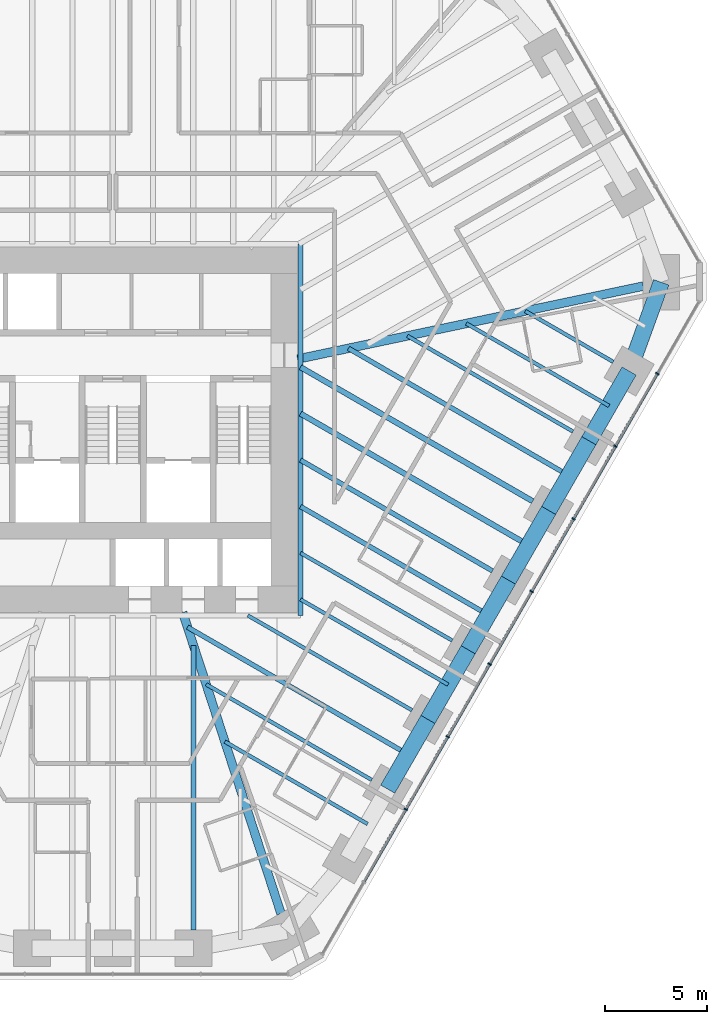
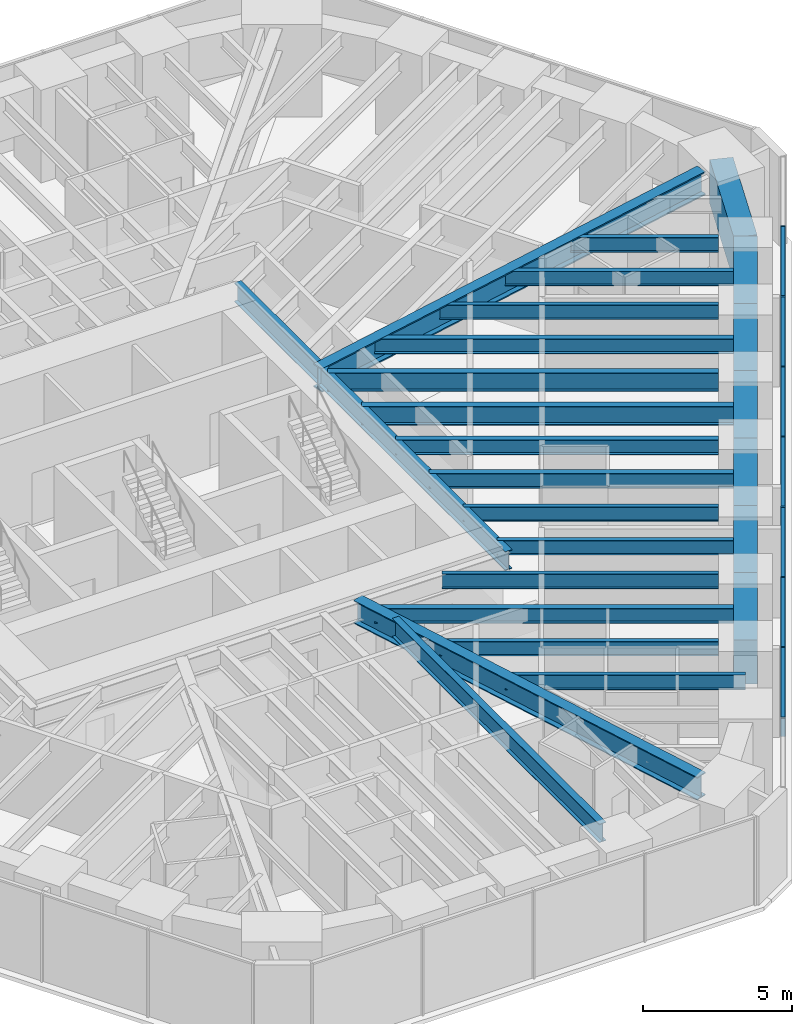
# One storey, part 5 of 16: 25 beams, 14 members, 1 element without a shape of its own.
"""IFC4 building model written with IfcOpenShell, lengths in metres."""

from ifc_helpers import new_model, si_unit, direction, frame, origin, origin_2d, place, context, subcontext, project, spatial, rectangle, i_section, extrude, material, material_profile, profile_set, type_object, element, aggregate, save


model = new_model("IFC4")

# Units and contexts
model_context = context("Model", 3, precision=1e-05, world=origin(), true_north=direction((0.0, 1.0)))
body_context = subcontext(model_context, "Body", "Model", "MODEL_VIEW")
ifc_project = project(units=[si_unit("LENGTHUNIT", "METRE"), si_unit("AREAUNIT", "SQUARE_METRE"), si_unit("VOLUMEUNIT", "CUBIC_METRE"), si_unit("PLANEANGLEUNIT", "RADIAN"), si_unit("MASSUNIT", "GRAM", prefix="KILO")], contexts=[model_context])

# Site, building, storey
site_placement = place(None, origin())
site = spatial("IfcSite", under=ifc_project, at=site_placement, CompositionType="ELEMENT")
building_placement = place(site_placement, origin())
building = spatial("IfcBuilding", under=site, at=building_placement, Name="Sandreach Pilgrim Tower", CompositionType="ELEMENT")
storey_placement = place(building_placement, frame((0.0, 0.0, 134.800048828125)))
storey = spatial("IfcBuildingStorey", under=building, at=storey_placement, Name="L33", CompositionType="ELEMENT", Elevation=134.800048828125)

# Curtain wall, members
ifc_material_1 = material(Name="Aluminium framed curtain wall", Category="aluminium")
curtain_wall_type = type_object("IfcCurtainWallType", Name="Hotel tower curtain wall", PredefinedType="NOTDEFINED", material=ifc_material_1)
curtain_wall_placement = place(storey_placement, origin())
curtain_wall = element("IfcCurtainWall", 1, at=curtain_wall_placement, inside=storey, type_object=curtain_wall_type, Name="CW-2 L33 SE", PredefinedType="NOTDEFINED")
ifc_material_2 = material(Name="Aluminium extrusion", Category="aluminium")
ifc_material_profile_1 = material_profile(ifc_material_2, rectangle(XDim=0.06494140625, YDim=0.179931640625, at=origin_2d()), Name="CW-2M 65X180")
ifc_profile_set_1 = profile_set([ifc_material_profile_1], Name="Aluminium extrusion")
member_type_1 = type_object("IfcMemberType", Name="CW-2 mullion", PredefinedType="MULLION", material=ifc_profile_set_1)
member_1_placement = place(storey_placement, frame((26.66748046875, 1.20166015625, 0.0), z_axis=(0.0, 0.0, 1.0), x_axis=(-0.5, -0.866025403784, 0.0)))
member_1 = element("IfcMember", 2, at=member_1_placement, type_object=member_type_1, Name="CW-2 mullion 2", PredefinedType="MULLION", context=body_context, shape_type="SweptSolid", body=[
    extrude(rectangle(XDim=0.06494140625, YDim=0.179931640625, at=origin_2d()), origin(), (0.0, 0.0, 1.0), 3.639892578125),
])
member_2_placement = place(storey_placement, frame((24.614013671875, -2.35498046875, 0.0), z_axis=(0.0, 0.0, 1.0), x_axis=(-0.5, -0.866025403784, 0.0)))
member_2 = element("IfcMember", 3, at=member_2_placement, type_object=member_type_1, Name="CW-2 mullion 3", PredefinedType="MULLION", context=body_context, shape_type="SweptSolid", body=[
    extrude(rectangle(XDim=0.06494140625, YDim=0.179931640625, at=origin_2d()), origin(), (0.0, 0.0, 1.0), 3.639892578125),
])
member_3_placement = place(storey_placement, frame((22.560302734375, -5.911865234375, 0.0), z_axis=(0.0, 0.0, 1.0), x_axis=(-0.5, -0.866025403784, 0.0)))
member_3 = element("IfcMember", 4, at=member_3_placement, type_object=member_type_1, Name="CW-2 mullion 4", PredefinedType="MULLION", context=body_context, shape_type="SweptSolid", body=[
    extrude(rectangle(XDim=0.06494140625, YDim=0.179931640625, at=origin_2d()), origin(), (0.0, 0.0, 1.0), 3.639892578125),
])
member_4_placement = place(storey_placement, frame((20.5068359375, -9.468505859375, 0.0), z_axis=(0.0, 0.0, 1.0), x_axis=(-0.5, -0.866025403784, 0.0)))
member_4 = element("IfcMember", 5, at=member_4_placement, type_object=member_type_1, Name="CW-2 mullion 5", PredefinedType="MULLION", context=body_context, shape_type="SweptSolid", body=[
    extrude(rectangle(XDim=0.06494140625, YDim=0.179931640625, at=origin_2d()), origin(), (0.0, 0.0, 1.0), 3.639892578125),
])
member_5_placement = place(storey_placement, frame((18.453369140625, -13.025146484375, 0.0), z_axis=(0.0, 0.0, 1.0), x_axis=(-0.5, -0.866025403784, 0.0)))
member_5 = element("IfcMember", 6, at=member_5_placement, type_object=member_type_1, Name="CW-2 mullion 6", PredefinedType="MULLION", context=body_context, shape_type="SweptSolid", body=[
    extrude(rectangle(XDim=0.06494140625, YDim=0.179931640625, at=origin_2d()), origin(), (0.0, 0.0, 1.0), 3.639892578125),
])
member_6_placement = place(storey_placement, frame((16.39990234375, -16.58203125, 0.0), z_axis=(0.0, 0.0, 1.0), x_axis=(-0.5, -0.866025403784, 0.0)))
member_6 = element("IfcMember", 7, at=member_6_placement, type_object=member_type_1, Name="CW-2 mullion 7", PredefinedType="MULLION", context=body_context, shape_type="SweptSolid", body=[
    extrude(rectangle(XDim=0.06494140625, YDim=0.179931640625, at=origin_2d()), origin(), (0.0, 0.0, 1.0), 3.639892578125),
])
member_7_placement = place(storey_placement, frame((14.346435546875, -20.138671875, 0.0), z_axis=(0.0, 0.0, 1.0), x_axis=(-0.5, -0.866025403784, 0.0)))
member_7 = element("IfcMember", 8, at=member_7_placement, type_object=member_type_1, Name="CW-2 mullion 8", PredefinedType="MULLION", context=body_context, shape_type="SweptSolid", body=[
    extrude(rectangle(XDim=0.06494140625, YDim=0.179931640625, at=origin_2d()), origin(), (0.0, 0.0, 1.0), 3.639892578125),
])
ifc_material_3 = material(Name="Aluminium extrusion", Category="aluminium")
ifc_material_profile_2 = material_profile(ifc_material_3, rectangle(XDim=0.139892578125, YDim=0.070068359375, at=origin_2d()), Name="CW-2T 140X70")
ifc_profile_set_2 = profile_set([ifc_material_profile_2], Name="Aluminium extrusion")
member_type_2 = type_object("IfcMemberType", Name="CW-2 transom", PredefinedType="USERDEFINED", material=ifc_profile_set_2)
member_8_placement = place(storey_placement, frame((26.651123046875, 1.173583984375, 3.60498046875), z_axis=(-0.499997818338, -0.866026663364, 0.0), x_axis=(0.866026663364, -0.499997818338, 0.0)))
member_8 = element("IfcMember", 9, at=member_8_placement, type_object=member_type_2, Name="CW-2 head transom 2", ObjectType="TRANSOM", PredefinedType="USERDEFINED", context=body_context, shape_type="SweptSolid", body=[
    extrude(rectangle(XDim=0.139892578125, YDim=0.070068359375, at=origin_2d()), origin(), (0.0, 0.0, 1.0), 4.0419921875),
])
member_9_placement = place(storey_placement, frame((24.59765625, -2.38330078125, 3.60498046875), z_axis=(-0.500023973715, -0.866011562111, 0.0), x_axis=(0.866011562111, -0.500023973715, 0.0)))
member_9 = element("IfcMember", 10, at=member_9_placement, type_object=member_type_2, Name="CW-2 head transom 3", ObjectType="TRANSOM", PredefinedType="USERDEFINED", context=body_context, shape_type="SweptSolid", body=[
    extrude(rectangle(XDim=0.139892578125, YDim=0.070068359375, at=origin_2d()), origin(), (0.0, 0.0, 1.0), 4.041748046875),
])
member_10_placement = place(storey_placement, frame((22.544189453125, -5.93994140625, 3.60498046875), z_axis=(-0.499997818338, -0.866026663364, 0.0), x_axis=(0.866026663364, -0.499997818338, 0.0)))
member_10 = element("IfcMember", 11, at=member_10_placement, type_object=member_type_2, Name="CW-2 head transom 4", ObjectType="TRANSOM", PredefinedType="USERDEFINED", context=body_context, shape_type="SweptSolid", body=[
    extrude(rectangle(XDim=0.139892578125, YDim=0.070068359375, at=origin_2d()), origin(), (0.0, 0.0, 1.0), 4.0419921875),
])
member_11_placement = place(storey_placement, frame((20.49072265625, -9.49658203125, 3.60498046875), z_axis=(-0.499997818338, -0.866026663364, 0.0), x_axis=(0.866026663364, -0.499997818338, 0.0)))
member_11 = element("IfcMember", 12, at=member_11_placement, type_object=member_type_2, Name="CW-2 head transom 5", ObjectType="TRANSOM", PredefinedType="USERDEFINED", context=body_context, shape_type="SweptSolid", body=[
    extrude(rectangle(XDim=0.139892578125, YDim=0.070068359375, at=origin_2d()), origin(), (0.0, 0.0, 1.0), 4.0419921875),
])
member_12_placement = place(storey_placement, frame((18.437255859375, -13.053466796875, 3.60498046875), z_axis=(-0.499997818338, -0.866026663364, 0.0), x_axis=(0.866026663364, -0.499997818338, 0.0)))
member_12 = element("IfcMember", 13, at=member_12_placement, type_object=member_type_2, Name="CW-2 head transom 6", ObjectType="TRANSOM", PredefinedType="USERDEFINED", context=body_context, shape_type="SweptSolid", body=[
    extrude(rectangle(XDim=0.139892578125, YDim=0.070068359375, at=origin_2d()), origin(), (0.0, 0.0, 1.0), 4.0419921875),
])
member_13_placement = place(storey_placement, frame((16.3837890625, -16.610107421875, 3.60498046875), z_axis=(-0.499997818338, -0.866026663364, 0.0), x_axis=(0.866026663364, -0.499997818338, 0.0)))
member_13 = element("IfcMember", 14, at=member_13_placement, type_object=member_type_2, Name="CW-2 head transom 7", ObjectType="TRANSOM", PredefinedType="USERDEFINED", context=body_context, shape_type="SweptSolid", body=[
    extrude(rectangle(XDim=0.139892578125, YDim=0.070068359375, at=origin_2d()), origin(), (0.0, 0.0, 1.0), 4.0419921875),
])
member_14_placement = place(storey_placement, frame((14.330322265625, -20.1669921875, 3.60498046875), z_axis=(-0.500023973715, -0.866011562111, 0.0), x_axis=(0.866011562111, -0.500023973715, 0.0)))
member_14 = element("IfcMember", 15, at=member_14_placement, type_object=member_type_2, Name="CW-2 head transom 8", ObjectType="TRANSOM", PredefinedType="USERDEFINED", context=body_context, shape_type="SweptSolid", body=[
    extrude(rectangle(XDim=0.139892578125, YDim=0.070068359375, at=origin_2d()), origin(), (0.0, 0.0, 1.0), 4.041748046875),
])
aggregate(curtain_wall, [member_1, member_2, member_3, member_4, member_5, member_6, member_7, member_8, member_9, member_10, member_11, member_12, member_13, member_14])

# Beams
ifc_material_4 = material(Name="Steel ASTM A992 Grade 50", Category="steel")
ifc_material_profile_3 = material_profile(ifc_material_4, i_section(OverallWidth=0.2666015625, OverallDepth=0.77978515625, WebThickness=0.0166015625, FlangeThickness=0.030029296875, at=origin_2d()), Name="W30X148")
ifc_profile_set_3 = profile_set([ifc_material_profile_3], Name="Steel ASTM A992 Grade 50")
beam_type_1 = type_object("IfcBeamType", Name="Core edge beam W30X148", PredefinedType="BEAM", material=ifc_profile_set_3)
beam_1_placement = place(storey_placement, frame((9.193359375, 7.54345703125, 3.25), z_axis=(0.0, -1.0, 0.0), x_axis=(1.0, 0.0, 0.0)))
element("IfcBeam", 16, at=beam_1_placement, inside=storey, type_object=beam_type_1, Name="BM L33 CEE", PredefinedType="BEAM", context=body_context, shape_type="SweptSolid", body=[
    extrude(i_section(OverallWidth=0.2666015625, OverallDepth=0.77978515625, WebThickness=0.0166015625, FlangeThickness=0.030029296875, at=origin_2d()), origin(), (0.0, 0.0, 1.0), 18.186767578125),
])
ifc_material_5 = material(Name="Steel ASTM A992 Grade 50", Category="steel")
ifc_material_profile_4 = material_profile(ifc_material_5, i_section(OverallWidth=0.421630859375, OverallDepth=0.937255859375, WebThickness=0.0224609375, FlangeThickness=0.039794921875, at=origin_2d()), Name="W36X282")
ifc_profile_set_4 = profile_set([ifc_material_profile_4], Name="Steel ASTM A992 Grade 50")
beam_type_2 = type_object("IfcBeamType", Name="Corner girder W36X282", PredefinedType="BEAM", material=ifc_profile_set_4)
beam_2_placement = place(storey_placement, frame((8.238525390625, -25.23876953125, 3.17138671875), z_axis=(-0.310307109519, 0.950636364643, 0.0), x_axis=(-0.950636364643, -0.310307109519, 0.0)))
element("IfcBeam", 17, at=beam_2_placement, inside=storey, type_object=beam_type_2, Name="BM L33 CG22", PredefinedType="BEAM", context=body_context, shape_type="SweptSolid", body=[
    extrude(i_section(OverallWidth=0.421630859375, OverallDepth=0.937255859375, WebThickness=0.0224609375, FlangeThickness=0.039794921875, at=origin_2d()), origin(), (0.0, 0.0, 1.0), 15.504150390625),
])
ifc_material_6 = material(Name="Steel ASTM A992 Grade 50", Category="steel")
ifc_material_profile_5 = material_profile(ifc_material_6, i_section(OverallWidth=0.424072265625, OverallDepth=0.965087890625, WebThickness=0.028564453125, FlangeThickness=0.051025390625, at=origin_2d()), Name="W36X361")
ifc_profile_set_5 = profile_set([ifc_material_profile_5], Name="Steel ASTM A992 Grade 50")
beam_type_3 = type_object("IfcBeamType", Name="Corner girder W36X361", PredefinedType="BEAM", material=ifc_profile_set_5)
beam_3_placement = place(storey_placement, frame((25.976806640625, 5.484619140625, 3.157470703125), z_axis=(-0.978427882284, -0.206588671447, 0.0), x_axis=(0.206588671447, -0.978427882284, 0.0)))
element("IfcBeam", 18, at=beam_3_placement, inside=storey, type_object=beam_type_3, Name="BM L33 CG13", PredefinedType="BEAM", context=body_context, shape_type="SweptSolid", body=[
    extrude(i_section(OverallWidth=0.424072265625, OverallDepth=0.965087890625, WebThickness=0.028564453125, FlangeThickness=0.051025390625, at=origin_2d()), origin(), (0.0, 0.0, 1.0), 17.300048828125),
])
ifc_material_7 = material(Name="Steel ASTM A992 Grade 50", Category="steel")
ifc_material_profile_6 = material_profile(ifc_material_7, i_section(OverallWidth=0.1787109375, OverallDepth=0.60205078125, WebThickness=0.010986328125, FlangeThickness=0.014892578125, at=origin_2d()), Name="W24X62")
ifc_profile_set_6 = profile_set([ifc_material_profile_6], Name="Steel ASTM A992 Grade 50")
beam_type_4 = type_object("IfcBeamType", Name="Floor beam W24X62", PredefinedType="BEAM", material=ifc_profile_set_6)
beam_4_placement = place(storey_placement, frame((24.50439453125, 1.775390625, 3.3388671875), z_axis=(-0.866024645457, 0.500001313459, 0.0), x_axis=(-0.500001313459, -0.866024645457, 0.0)))
element("IfcBeam", 19, at=beam_4_placement, inside=storey, type_object=beam_type_4, Name="BM L33 F14", PredefinedType="BEAM", context=body_context, shape_type="SweptSolid", body=[
    extrude(i_section(OverallWidth=0.1787109375, OverallDepth=0.60205078125, WebThickness=0.010986328125, FlangeThickness=0.014892578125, at=origin_2d()), origin(), (0.0, 0.0, 1.0), 4.9765625),
])
beam_5_placement = place(storey_placement, frame((22.534423828125, -1.63671875, 3.3388671875), z_axis=(-0.866012351917, 0.500022605817, 0.0), x_axis=(-0.500022605817, -0.866012351917, 0.0)))
element("IfcBeam", 20, at=beam_5_placement, inside=storey, type_object=beam_type_4, Name="BM L33 F15", PredefinedType="BEAM", context=body_context, shape_type="SweptSolid", body=[
    extrude(i_section(OverallWidth=0.1787109375, OverallDepth=0.60205078125, WebThickness=0.010986328125, FlangeThickness=0.014892578125, at=origin_2d()), origin(), (0.0, 0.0, 1.0), 9.3642578125),
])
beam_6_placement = place(storey_placement, frame((16.62451171875, -11.873046875, 3.3388671875), z_axis=(-0.866017857595, 0.500013070155, 0.0), x_axis=(-0.500013070155, -0.866017857595, 0.0)))
element("IfcBeam", 21, at=beam_6_placement, inside=storey, type_object=beam_type_4, Name="BM L33 F18", PredefinedType="BEAM", context=body_context, shape_type="SweptSolid", body=[
    extrude(i_section(OverallWidth=0.1787109375, OverallDepth=0.60205078125, WebThickness=0.010986328125, FlangeThickness=0.014892578125, at=origin_2d()), origin(), (0.0, 0.0, 1.0), 8.580810546875),
])
beam_7_placement = place(storey_placement, frame((14.654541015625, -15.28515625, 3.3388671875), z_axis=(-0.866015659929, 0.500016876472, 0.0), x_axis=(-0.500016876472, -0.866015659929, 0.0)))
element("IfcBeam", 22, at=beam_7_placement, inside=storey, type_object=beam_type_4, Name="BM L33 F19", PredefinedType="BEAM", context=body_context, shape_type="SweptSolid", body=[
    extrude(i_section(OverallWidth=0.1787109375, OverallDepth=0.60205078125, WebThickness=0.010986328125, FlangeThickness=0.014892578125, at=origin_2d()), origin(), (0.0, 0.0, 1.0), 9.283447265625),
])
beam_8_placement = place(storey_placement, frame((12.6845703125, -18.697265625, 3.3388671875), z_axis=(-0.866012351917, 0.500022605817, 0.0), x_axis=(-0.500022605817, -0.866012351917, 0.0)))
element("IfcBeam", 23, at=beam_8_placement, inside=storey, type_object=beam_type_4, Name="BM L33 F20", PredefinedType="BEAM", context=body_context, shape_type="SweptSolid", body=[
    extrude(i_section(OverallWidth=0.1787109375, OverallDepth=0.60205078125, WebThickness=0.010986328125, FlangeThickness=0.014892578125, at=origin_2d()), origin(), (0.0, 0.0, 1.0), 9.3642578125),
])
beam_9_placement = place(storey_placement, frame((24.298828125, -0.380615234375, 3.3388671875), z_axis=(-0.866022864518, 0.500004398112, 0.0), x_axis=(-0.500004398112, -0.866022864518, 0.0)))
element("IfcBeam", 24, at=beam_9_placement, inside=storey, type_object=beam_type_4, Name="BM L33 FM14", PredefinedType="BEAM", context=body_context, shape_type="SweptSolid", body=[
    extrude(i_section(OverallWidth=0.1787109375, OverallDepth=0.60205078125, WebThickness=0.010986328125, FlangeThickness=0.014892578125, at=origin_2d()), origin(), (0.0, 0.0, 1.0), 8.0703125),
])
beam_10_placement = place(storey_placement, frame((16.4189453125, -14.029052734375, 3.3388671875), z_axis=(-0.866016009309, 0.500016271356, 0.0), x_axis=(-0.500016271356, -0.866016009309, 0.0)))
element("IfcBeam", 25, at=beam_10_placement, inside=storey, type_object=beam_type_4, Name="BM L33 FM18", PredefinedType="BEAM", context=body_context, shape_type="SweptSolid", body=[
    extrude(i_section(OverallWidth=0.1787109375, OverallDepth=0.60205078125, WebThickness=0.010986328125, FlangeThickness=0.014892578125, at=origin_2d()), origin(), (0.0, 0.0, 1.0), 8.343505859375),
])
beam_11_placement = place(storey_placement, frame((12.47900390625, -20.853271484375, 3.3388671875), z_axis=(-0.866017328257, 0.500013986963, 0.0), x_axis=(-0.500013986963, -0.866017328257, 0.0)))
element("IfcBeam", 26, at=beam_11_placement, inside=storey, type_object=beam_type_4, Name="BM L33 FM20", PredefinedType="BEAM", context=body_context, shape_type="SweptSolid", body=[
    extrude(i_section(OverallWidth=0.1787109375, OverallDepth=0.60205078125, WebThickness=0.010986328125, FlangeThickness=0.014892578125, at=origin_2d()), origin(), (0.0, 0.0, 1.0), 8.070556640625),
])
ifc_material_8 = material(Name="Steel ASTM A992 Grade 50", Category="steel")
ifc_material_profile_7 = material_profile(ifc_material_8, i_section(OverallWidth=0.23046875, OverallDepth=0.6171875, WebThickness=0.01318359375, FlangeThickness=0.022216796875, at=origin_2d()), Name="W24X94")
ifc_profile_set_7 = profile_set([ifc_material_profile_7], Name="Steel ASTM A992 Grade 50")
beam_type_5 = type_object("IfcBeamType", Name="Floor beam W24X94", PredefinedType="BEAM", material=ifc_profile_set_7)
beam_12_placement = place(storey_placement, frame((18.594482421875, -8.4609375, 3.331298828125), z_axis=(-0.866015926388, 0.500016414973, 0.0), x_axis=(-0.500016414973, -0.866015926388, 0.0)))
element("IfcBeam", 27, at=beam_12_placement, inside=storey, type_object=beam_type_5, Name="BM L33 F17", PredefinedType="BEAM", context=body_context, shape_type="SweptSolid", body=[
    extrude(i_section(OverallWidth=0.23046875, OverallDepth=0.6171875, WebThickness=0.01318359375, FlangeThickness=0.022216796875, at=origin_2d()), origin(), (0.0, 0.0, 1.0), 10.855712890625),
])
beam_13_placement = place(storey_placement, frame((22.328857421875, -3.792724609375, 3.331298828125), z_axis=(-0.866019150617, 0.500010830648, 0.0), x_axis=(-0.500010830648, -0.866019150617, 0.0)))
element("IfcBeam", 28, at=beam_13_placement, inside=storey, type_object=beam_type_5, Name="BM L33 FM15", PredefinedType="BEAM", context=body_context, shape_type="SweptSolid", body=[
    extrude(i_section(OverallWidth=0.23046875, OverallDepth=0.6171875, WebThickness=0.01318359375, FlangeThickness=0.022216796875, at=origin_2d()), origin(), (0.0, 0.0, 1.0), 12.458251953125),
])
beam_14_placement = place(storey_placement, frame((18.388916015625, -10.616943359375, 3.331298828125), z_axis=(-0.866024387147, 0.500001760863, 0.0), x_axis=(-0.500001760863, -0.866024387147, 0.0)))
element("IfcBeam", 29, at=beam_14_placement, inside=storey, type_object=beam_type_5, Name="BM L33 FM17", PredefinedType="BEAM", context=body_context, shape_type="SweptSolid", body=[
    extrude(i_section(OverallWidth=0.23046875, OverallDepth=0.6171875, WebThickness=0.01318359375, FlangeThickness=0.022216796875, at=origin_2d()), origin(), (0.0, 0.0, 1.0), 10.6181640625),
])
beam_15_placement = place(storey_placement, frame((14.448974609375, -17.441162109375, 3.331298828125), z_axis=(-0.866019150617, 0.500010830648, 0.0), x_axis=(-0.500010830648, -0.866019150617, 0.0)))
element("IfcBeam", 30, at=beam_15_placement, inside=storey, type_object=beam_type_5, Name="BM L33 FM19", PredefinedType="BEAM", context=body_context, shape_type="SweptSolid", body=[
    extrude(i_section(OverallWidth=0.23046875, OverallDepth=0.6171875, WebThickness=0.01318359375, FlangeThickness=0.022216796875, at=origin_2d()), origin(), (0.0, 0.0, 1.0), 12.458251953125),
])
ifc_material_9 = material(Name="Steel ASTM A992 Grade 50", Category="steel")
ifc_material_profile_8 = material_profile(ifc_material_9, i_section(OverallWidth=0.2666015625, OverallDepth=0.761962890625, WebThickness=0.014404296875, FlangeThickness=0.021484375, at=origin_2d()), Name="W30X116")
ifc_profile_set_8 = profile_set([ifc_material_profile_8], Name="Steel ASTM A992 Grade 50")
beam_type_6 = type_object("IfcBeamType", Name="Floor beam W30X116", PredefinedType="BEAM", material=ifc_profile_set_8)
beam_16_placement = place(storey_placement, frame((20.564453125, -5.048828125, 3.259033203125), z_axis=(-0.866022715736, 0.500004655807, 0.0), x_axis=(-0.500004655807, -0.866022715736, 0.0)))
element("IfcBeam", 31, at=beam_16_placement, inside=storey, type_object=beam_type_6, Name="BM L33 F16", PredefinedType="BEAM", context=body_context, shape_type="SweptSolid", body=[
    extrude(i_section(OverallWidth=0.2666015625, OverallDepth=0.761962890625, WebThickness=0.014404296875, FlangeThickness=0.021484375, at=origin_2d()), origin(), (0.0, 0.0, 1.0), 13.130126953125),
])
beam_17_placement = place(storey_placement, frame((3.955322265625, -26.0322265625, 3.259033203125), z_axis=(0.0, 1.0, 0.0), x_axis=(-1.0, 0.0, 0.0)))
element("IfcBeam", 32, at=beam_17_placement, inside=storey, type_object=beam_type_6, Name="BM L33 F23", PredefinedType="BEAM", context=body_context, shape_type="SweptSolid", body=[
    extrude(i_section(OverallWidth=0.2666015625, OverallDepth=0.761962890625, WebThickness=0.014404296875, FlangeThickness=0.021484375, at=origin_2d()), origin(), (0.0, 0.0, 1.0), 13.91552734375),
])
beam_18_placement = place(storey_placement, frame((20.35888671875, -7.204833984375, 3.259033203125), z_axis=(-0.866021609098, 0.500006572533, 0.0), x_axis=(-0.500006572533, -0.866021609098, 0.0)))
element("IfcBeam", 33, at=beam_18_placement, inside=storey, type_object=beam_type_6, Name="BM L33 FM16", PredefinedType="BEAM", context=body_context, shape_type="SweptSolid", body=[
    extrude(i_section(OverallWidth=0.2666015625, OverallDepth=0.761962890625, WebThickness=0.014404296875, FlangeThickness=0.021484375, at=origin_2d()), origin(), (0.0, 0.0, 1.0), 12.892822265625),
])
ifc_material_10 = material(Name="Concrete 10000 psi", Category="concrete")
ifc_material_profile_9 = material_profile(ifc_material_10, rectangle(XDim=0.800048828125, YDim=1.800048828125, at=origin_2d()), Name="RC800X1800")
ifc_profile_set_9 = profile_set([ifc_material_profile_9], Name="Concrete 10000 psi")
beam_type_7 = type_object("IfcBeamType", Name="Spandrel beam RC800X1800", PredefinedType="SPANDREL", material=ifc_profile_set_9)
beam_19_placement = place(storey_placement, frame((26.857177734375, 5.67041015625, 2.739990234375), z_axis=(-0.340453163563, -0.940261476091, 0.0), x_axis=(0.940261476091, -0.340453163563, 0.0)))
element("IfcBeam", 34, at=beam_19_placement, inside=storey, type_object=beam_type_7, Name="BM L33 SP13", PredefinedType="SPANDREL", context=body_context, shape_type="SweptSolid", body=[
    extrude(rectangle(XDim=0.800048828125, YDim=1.800048828125, at=origin_2d()), origin(), (0.0, 0.0, 1.0), 4.62109375),
])
for number, where, z_axis, x_axis, name in (
    (35, (25.283935546875, 1.325439453125, 2.739990234375), (-0.49999779889, -0.866026674592, 0.0), (0.866026674592, -0.49999779889, 0.0), "BM L33 SP14"),
    (36, (23.31396484375, -2.086669921875, 2.739990234375), (-0.49999779889, -0.866026674592, 0.0), (0.866026674592, -0.49999779889, 0.0), "BM L33 SP15"),
    (37, (21.343994140625, -5.498779296875, 2.739990234375), (-0.49999779889, -0.866026674592, 0.0), (0.866026674592, -0.49999779889, 0.0), "BM L33 SP16"),
    (38, (19.3740234375, -8.910888671875, 2.739990234375), (-0.49999779889, -0.866026674592, 0.0), (0.866026674592, -0.49999779889, 0.0), "BM L33 SP17"),
    (39, (17.404052734375, -12.322998046875, 2.739990234375), (-0.49999779889, -0.866026674592, 0.0), (0.866026674592, -0.49999779889, 0.0), "BM L33 SP18"),
    (40, (15.43408203125, -15.735107421875, 2.739990234375), (-0.49999779889, -0.866026674592, 0.0), (0.866026674592, -0.49999779889, 0.0), "BM L33 SP19"),
):
    element("IfcBeam", number, at=place(storey_placement, frame(where, z_axis=z_axis, x_axis=x_axis)), inside=storey, type_object=beam_type_7, Name=name, PredefinedType="SPANDREL", context=body_context, shape_type="SweptSolid", body=[
        extrude(rectangle(XDim=0.800048828125, YDim=1.800048828125, at=origin_2d()), origin(), (0.0, 0.0, 1.0), 3.93994140625),
    ])

save(model, "model.ifc")
